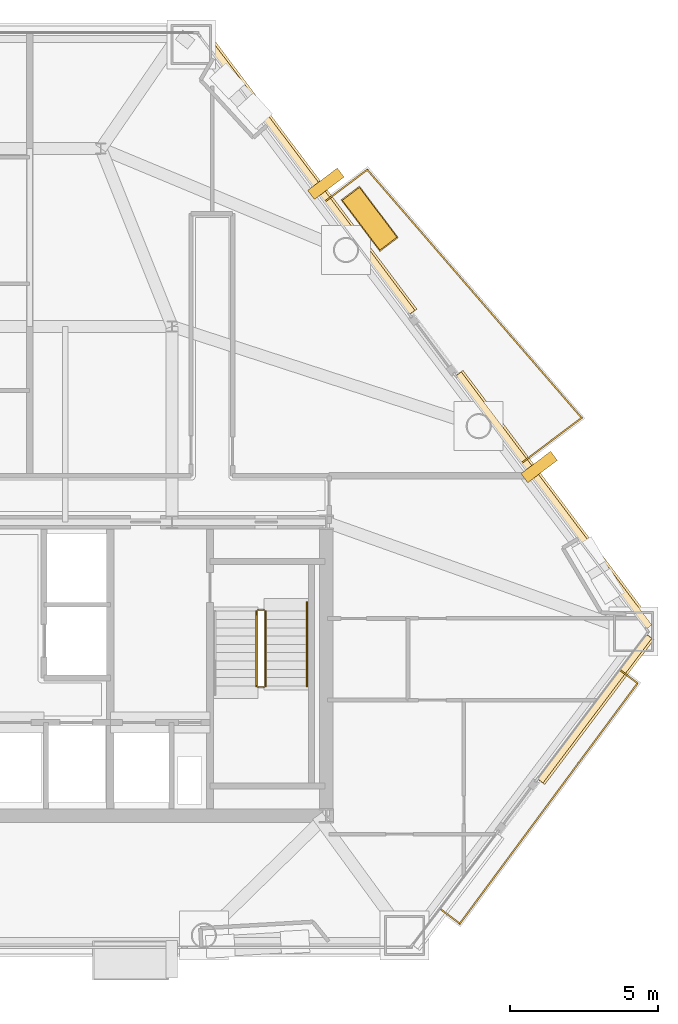
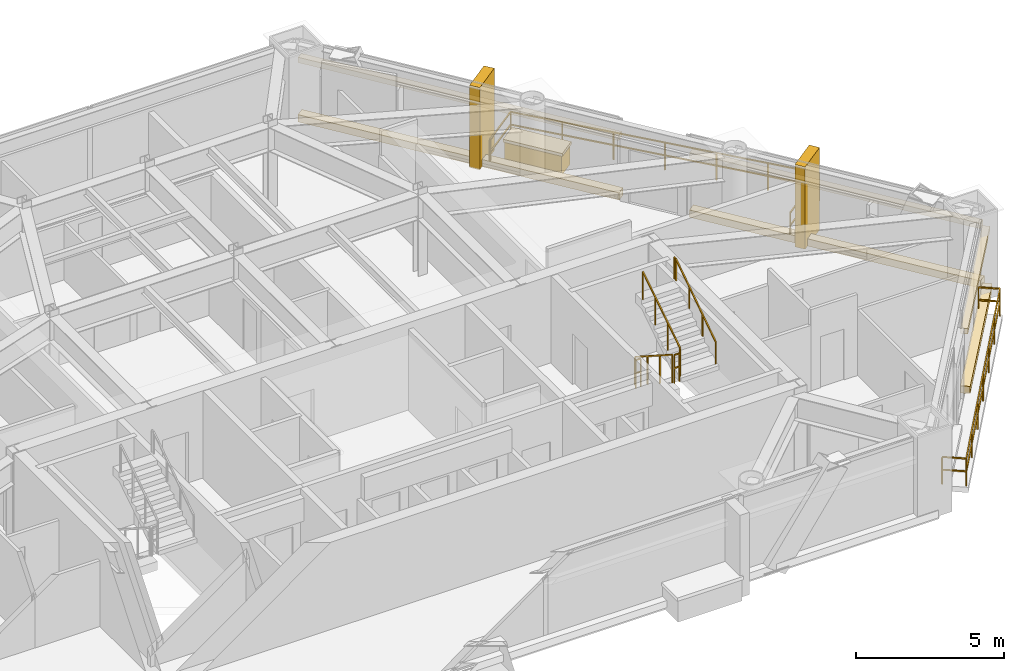
# One storey, part 10 of 10: 10 coverings, 7 railings.
"""IFC4 building model written with IfcOpenShell, lengths in metres."""

from ifc_helpers import new_model, si_unit, direction, frame, origin, origin_2d, place, context, subcontext, project, spatial, rectangle, extrude, material, layer, layer_set, type_object, element, save


model = new_model("IFC4")

# Units and contexts
model_context = context("Model", 3, precision=1e-05, world=origin(), true_north=direction((0.0, 1.0)))
body_context = subcontext(model_context, "Body", "Model", "MODEL_VIEW")
ifc_project = project(units=[si_unit("LENGTHUNIT", "METRE"), si_unit("AREAUNIT", "SQUARE_METRE"), si_unit("VOLUMEUNIT", "CUBIC_METRE"), si_unit("PLANEANGLEUNIT", "RADIAN"), si_unit("MASSUNIT", "GRAM", prefix="KILO")], contexts=[model_context])

# Site, building, storey
site_placement = place(None, origin())
site = spatial("IfcSite", under=ifc_project, at=site_placement, CompositionType="ELEMENT")
building_placement = place(site_placement, origin())
building = spatial("IfcBuilding", under=site, at=building_placement, Name="Talgorran Terracotta Tower", CompositionType="ELEMENT")
storey_placement = place(building_placement, frame((0.0, 0.0, 49.5)))
storey = spatial("IfcBuildingStorey", under=building, at=storey_placement, Name="L12", CompositionType="ELEMENT", Elevation=49.5)

# Coverings
ifc_material_1 = material(Name="Kiln-Fired Terracotta Ochre Ceramic", Category="masonry")
ifc_layer_1 = layer(ifc_material_1, 0.179931640625, Name="COV_BAGUETTE_TERRACOTTA_SCREEN")
ifc_layer_set_1 = layer_set([ifc_layer_1], Name="Kiln-Fired Terracotta Ochre Ceramic")
covering_type_1 = type_object("IfcCoveringType", Name="COV_BAGUETTE_TERRACOTTA_SCREEN", PredefinedType="CLADDING", material=ifc_layer_set_1)
covering_1_placement = place(storey_placement, frame((21.438720703125, -10.4765625, 2.41015625), z_axis=(0.0, 0.0, 1.0), x_axis=(0.601633803014, 0.798772036986, 0.0)))
element("IfcCovering", 1, at=covering_1_placement, inside=storey, type_object=covering_type_1, Name="L12 Terracotta Baguette Solar Screen Assembly F31", PredefinedType="CLADDING", context=body_context, shape_type="SweptSolid", body=[
    extrude(rectangle(XDim=6.099609375, YDim=0.260009765625, at=origin_2d()), origin(), (0.0, 0.0, 1.0), 0.219970703125),
])
covering_2_placement = place(storey_placement, frame((20.060791015625, -3.47900390625, 2.41015625), z_axis=(0.0, 0.0, 1.0), x_axis=(-0.601633803014, 0.798772036986, 0.0)))
element("IfcCovering", 2, at=covering_2_placement, inside=storey, type_object=covering_type_1, Name="L12 Terracotta Baguette Solar Screen Assembly F40", PredefinedType="CLADDING", context=body_context, shape_type="SweptSolid", body=[
    extrude(rectangle(XDim=10.6796875, YDim=0.260009765625, at=origin_2d()), origin(), (0.0, 0.0, 1.0), 0.219970703125),
])
covering_3_placement = place(storey_placement, frame((11.738525390625, 7.570556640625, 2.41015625), z_axis=(0.0, 0.0, 1.0), x_axis=(-0.601633803014, 0.798772036986, 0.0)))
element("IfcCovering", 3, at=covering_3_placement, inside=storey, type_object=covering_type_1, Name="L12 Terracotta Baguette Solar Screen Assembly F41", PredefinedType="CLADDING", context=body_context, shape_type="SweptSolid", body=[
    extrude(rectangle(XDim=11.78662109375, YDim=0.260009765625, at=origin_2d()), origin(), (0.0, 0.0, 1.0), 0.219970703125),
])
ifc_material_2 = material(Name="Honed Limestone and Terracotta Planter", Category="masonry")
ifc_layer_2 = layer(ifc_material_2, 0.1201171875, Name="COV_PLANTER_BOX")
ifc_layer_set_2 = layer_set([ifc_layer_2], Name="Honed Limestone and Terracotta Planter")
covering_type_2 = type_object("IfcCoveringType", Name="COV_PLANTER_BOX", PredefinedType="CLADDING", material=ifc_layer_set_2)
covering_4_placement = place(storey_placement, frame((13.863037109375, 6.029541015625, -0.02001953125), z_axis=(0.0, 0.0, 1.0), x_axis=(-0.601633803014, 0.798772036986, 0.0)))
element("IfcCovering", 4, at=covering_4_placement, inside=storey, type_object=covering_type_2, Name="L12 Staggered Balcony Planter Box BAL-NE", PredefinedType="CLADDING", context=body_context, shape_type="SweptSolid", body=[
    extrude(rectangle(XDim=2.10009765625, YDim=0.719970703125, at=origin_2d()), origin(), (0.0, 0.0, 1.0), 0.860107421875),
])
ifc_material_3 = material(Name="Kiln-Fired Terracotta Planter Rim", Category="masonry")
ifc_layer_3 = layer(ifc_material_3, 0.10009765625, Name="COV_PLANTER_RIM")
ifc_layer_set_3 = layer_set([ifc_layer_3], Name="Kiln-Fired Terracotta Planter Rim")
covering_type_3 = type_object("IfcCoveringType", Name="COV_PLANTER_RIM", PredefinedType="CLADDING", material=ifc_layer_set_3)
covering_5_placement = place(storey_placement, frame((13.863037109375, 6.029541015625, 0.800048828125), z_axis=(0.0, 0.0, 1.0), x_axis=(-0.601633803014, 0.798772036986, 0.0)))
element("IfcCovering", 5, at=covering_5_placement, inside=storey, type_object=covering_type_3, Name="L12 Balcony Planter Terracotta Rim BAL-NE", PredefinedType="CLADDING", context=body_context, shape_type="SweptSolid", body=[
    extrude(rectangle(XDim=2.179931640625, YDim=0.780029296875, at=origin_2d()), origin(), (0.0, 0.0, 1.0), 0.1201171875),
])
ifc_material_4 = material(Name="Honed Limestone Cladding", Category="masonry")
ifc_layer_4 = layer(ifc_material_4, 0.094970703125, Name="COV_PORTAL_LIME")
ifc_layer_set_4 = layer_set([ifc_layer_4], Name="Honed Limestone Cladding")
covering_type_4 = type_object("IfcCoveringType", Name="COV_PORTAL_LIME", PredefinedType="CLADDING", material=ifc_layer_set_4)
covering_6_placement = place(storey_placement, frame((21.470458984375, -10.500732421875, -0.0400390625), z_axis=(0.0, 0.0, 1.0), x_axis=(0.601633803014, 0.798772036986, 0.0)))
element("IfcCovering", 6, at=covering_6_placement, inside=storey, type_object=covering_type_4, Name="L12 Striped Postmodern Portal Cladding Band F31", PredefinedType="CLADDING", context=body_context, shape_type="SweptSolid", body=[
    extrude(rectangle(XDim=6.11962890625, YDim=0.340087890625, at=origin_2d()), origin(), (0.0, 0.0, 1.0), 0.300048828125),
])
covering_7_placement = place(storey_placement, frame((20.0927734375, -3.454833984375, -0.0400390625), z_axis=(0.0, 0.0, 1.0), x_axis=(-0.601633803014, 0.798772036986, 0.0)))
element("IfcCovering", 7, at=covering_7_placement, inside=storey, type_object=covering_type_4, Name="L12 Striped Postmodern Portal Cladding Band F40", PredefinedType="CLADDING", context=body_context, shape_type="SweptSolid", body=[
    extrude(rectangle(XDim=10.69970703125, YDim=0.340087890625, at=origin_2d()), origin(), (0.0, 0.0, 1.0), 0.300048828125),
])
covering_8_placement = place(storey_placement, frame((11.7705078125, 7.594482421875, -0.0400390625), z_axis=(0.0, 0.0, 1.0), x_axis=(-0.601633803014, 0.798772036986, 0.0)))
element("IfcCovering", 8, at=covering_8_placement, inside=storey, type_object=covering_type_4, Name="L12 Striped Postmodern Portal Cladding Band F41", PredefinedType="CLADDING", context=body_context, shape_type="SweptSolid", body=[
    extrude(rectangle(XDim=11.806396484375, YDim=0.340087890625, at=origin_2d()), origin(), (0.0, 0.0, 1.0), 0.300048828125),
])
covering_9_placement = place(storey_placement, frame((12.3857421875, 7.2099609375, -0.050048828125), z_axis=(0.0, 0.0, 1.0), x_axis=(-0.601633803014, 0.798772036986, 0.0)))
element("IfcCovering", 9, at=covering_9_placement, inside=storey, type_object=covering_type_4, Name="L12 White Striped Portal Fin F3-2", PredefinedType="CLADDING", context=body_context, shape_type="SweptSolid", body=[
    extrude(rectangle(XDim=0.3798828125, YDim=1.25, at=origin_2d()), origin(), (0.0, 0.0, 1.0), 3.39990234375),
])
ifc_material_5 = material(Name="Kiln-Fired Terracotta Cladding", Category="masonry")
ifc_layer_5 = layer(ifc_material_5, 0.090087890625, Name="COV_PORTAL_TERRA")
ifc_layer_set_5 = layer_set([ifc_layer_5], Name="Kiln-Fired Terracotta Cladding")
covering_type_5 = type_object("IfcCoveringType", Name="COV_PORTAL_TERRA", PredefinedType="CLADDING", material=ifc_layer_set_5)
covering_10_placement = place(storey_placement, frame((19.578369140625, -2.339599609375, -0.050048828125), z_axis=(0.0, 0.0, 1.0), x_axis=(-0.601633803014, 0.798772036986, 0.0)))
element("IfcCovering", 10, at=covering_10_placement, inside=storey, type_object=covering_type_5, Name="L12 Terracotta Striped Portal Fin F3-1", PredefinedType="CLADDING", context=body_context, shape_type="SweptSolid", body=[
    extrude(rectangle(XDim=0.3798828125, YDim=1.25, at=origin_2d()), origin(), (0.0, 0.0, 1.0), 3.39990234375),
])

# Railings
ifc_material_6 = material(Name="Laminated Glass and Stainless Steel 316", Category="steel")
railing_type_1 = type_object("IfcRailingType", Name="RL_BALCONY_1150", PredefinedType="BALUSTRADE", material=ifc_material_6)
railing_1_placement = place(storey_placement, frame((18.9970703125, -2.19970703125, 0.0)))
element("IfcRailing", 11, at=railing_1_placement, inside=storey, type_object=railing_type_1, Name="RL-L12-BAL-BAL-NE", PredefinedType="BALUSTRADE", context=body_context, shape_type="SweptSolid", body=[
    extrude(rectangle(XDim=0.048095703125, YDim=0.048095703125, at=origin_2d()), frame((0.0, 0.0, 1.1259765625), z_axis=(0.798731711395, 0.601687338418, 0.0), x_axis=(-0.601687338418, 0.798731711395, 0.0)), (0.0, 0.0, 1.0), 2.521484375),
    extrude(rectangle(XDim=0.048095703125, YDim=0.048095703125, at=origin_2d()), frame((0.0, 0.0, 0.597900390625), z_axis=(0.798731711395, 0.601687338418, 0.0), x_axis=(-0.601687338418, 0.798731711395, 0.0)), (0.0, 0.0, 1.0), 2.521484375),
    extrude(rectangle(XDim=0.048095703125, YDim=0.048095703125, at=origin_2d()), frame((2.013916015625, 1.51708984375, 1.1259765625), z_axis=(-0.653784845329, 0.756680497976, 0.0), x_axis=(-0.756680497976, -0.653784845329, 0.0)), (0.0, 0.0, 1.0), 11.056884765625),
    extrude(rectangle(XDim=0.048095703125, YDim=0.048095703125, at=origin_2d()), frame((2.013916015625, 1.51708984375, 0.597900390625), z_axis=(-0.653784845329, 0.756680497976, 0.0), x_axis=(-0.756680497976, -0.653784845329, 0.0)), (0.0, 0.0, 1.0), 11.056884765625),
    extrude(rectangle(XDim=0.048095703125, YDim=0.048095703125, at=origin_2d()), frame((-5.21484375, 9.883544921875, 1.1259765625), z_axis=(-0.798780849731, -0.601622102406, 0.0), x_axis=(0.601622102406, -0.798780849731, 0.0)), (0.0, 0.0, 1.0), 1.78076171875),
    extrude(rectangle(XDim=0.048095703125, YDim=0.048095703125, at=origin_2d()), frame((-5.21484375, 9.883544921875, 0.597900390625), z_axis=(-0.798780849731, -0.601622102406, 0.0), x_axis=(0.601622102406, -0.798780849731, 0.0)), (0.0, 0.0, 1.0), 1.78076171875),
    extrude(rectangle(XDim=0.0419921875, YDim=0.0419921875, at=origin_2d()), origin(), (0.0, 0.0, 1.0), 1.101806640625),
    extrude(rectangle(XDim=0.0419921875, YDim=0.0419921875, at=origin_2d()), frame((1.0068359375, 0.758544921875, 0.0)), (0.0, 0.0, 1.0), 1.101806640625),
    extrude(rectangle(XDim=0.0419921875, YDim=0.0419921875, at=origin_2d()), frame((2.013916015625, 1.51708984375, 0.0)), (0.0, 0.0, 1.0), 1.101806640625),
    extrude(rectangle(XDim=0.0419921875, YDim=0.0419921875, at=origin_2d()), frame((0.80908203125, 2.91162109375, 0.0)), (0.0, 0.0, 1.0), 1.101806640625),
    extrude(rectangle(XDim=0.0419921875, YDim=0.0419921875, at=origin_2d()), frame((-0.395751953125, 4.305908203125, 0.0)), (0.0, 0.0, 1.0), 1.101806640625),
    extrude(rectangle(XDim=0.0419921875, YDim=0.0419921875, at=origin_2d()), frame((-1.6005859375, 5.7001953125, 0.0)), (0.0, 0.0, 1.0), 1.101806640625),
    extrude(rectangle(XDim=0.0419921875, YDim=0.0419921875, at=origin_2d()), frame((-2.80517578125, 7.0947265625, 0.0)), (0.0, 0.0, 1.0), 1.101806640625),
    extrude(rectangle(XDim=0.0419921875, YDim=0.0419921875, at=origin_2d()), frame((-4.010009765625, 8.4892578125, 0.0)), (0.0, 0.0, 1.0), 1.101806640625),
    extrude(rectangle(XDim=0.0419921875, YDim=0.0419921875, at=origin_2d()), frame((-5.21484375, 9.883544921875, 0.0)), (0.0, 0.0, 1.0), 1.101806640625),
    extrude(rectangle(XDim=0.0419921875, YDim=0.0419921875, at=origin_2d()), frame((-6.63720703125, 8.812255859375, 0.0)), (0.0, 0.0, 1.0), 1.101806640625),
])
railing_2_placement = place(storey_placement, frame((16.244384765625, -17.239990234375, 0.0)))
element("IfcRailing", 12, at=railing_2_placement, inside=storey, type_object=railing_type_1, Name="RL-L12-BAL-BAL-SE", PredefinedType="BALUSTRADE", context=body_context, shape_type="SweptSolid", body=[
    extrude(rectangle(XDim=0.048095703125, YDim=0.048095703125, at=origin_2d()), frame((0.0, 0.0, 1.1259765625), z_axis=(0.798753467673, -0.601658456169, 0.0), x_axis=(0.601658456169, 0.798753467673, 0.0)), (0.0, 0.0, 1.0), 0.82373046875),
    extrude(rectangle(XDim=0.048095703125, YDim=0.048095703125, at=origin_2d()), frame((0.0, 0.0, 0.597900390625), z_axis=(0.798753467673, -0.601658456169, 0.0), x_axis=(0.601658456169, 0.798753467673, 0.0)), (0.0, 0.0, 1.0), 0.82373046875),
    extrude(rectangle(XDim=0.048095703125, YDim=0.048095703125, at=origin_2d()), frame((0.657958984375, -0.49560546875, 1.1259765625), z_axis=(0.594608255288, 0.804015561257, 0.0), x_axis=(-0.804015561257, 0.594608255288, 0.0)), (0.0, 0.0, 1.0), 10.081298828125),
    extrude(rectangle(XDim=0.048095703125, YDim=0.048095703125, at=origin_2d()), frame((0.657958984375, -0.49560546875, 0.597900390625), z_axis=(0.594608255288, 0.804015561257, 0.0), x_axis=(-0.804015561257, 0.594608255288, 0.0)), (0.0, 0.0, 1.0), 10.081298828125),
    extrude(rectangle(XDim=0.048095703125, YDim=0.048095703125, at=origin_2d()), frame((6.65234375, 7.60986328125, 1.1259765625), z_axis=(-0.798923305142, 0.601432916044, 0.0), x_axis=(-0.601432916044, -0.798923305142, 0.0)), (0.0, 0.0, 1.0), 0.735595703125),
    extrude(rectangle(XDim=0.048095703125, YDim=0.048095703125, at=origin_2d()), frame((6.65234375, 7.60986328125, 0.597900390625), z_axis=(-0.798923305142, 0.601432916044, 0.0), x_axis=(-0.601432916044, -0.798923305142, 0.0)), (0.0, 0.0, 1.0), 0.735595703125),
    extrude(rectangle(XDim=0.0419921875, YDim=0.0419921875, at=origin_2d()), origin(), (0.0, 0.0, 1.0), 1.101806640625),
    extrude(rectangle(XDim=0.0419921875, YDim=0.0419921875, at=origin_2d()), frame((0.657958984375, -0.49560546875, 0.0)), (0.0, 0.0, 1.0), 1.101806640625),
    extrude(rectangle(XDim=0.0419921875, YDim=0.0419921875, at=origin_2d()), frame((1.656982421875, 0.855224609375, 0.0)), (0.0, 0.0, 1.0), 1.101806640625),
    extrude(rectangle(XDim=0.0419921875, YDim=0.0419921875, at=origin_2d()), frame((2.656005859375, 2.206298828125, 0.0)), (0.0, 0.0, 1.0), 1.101806640625),
    extrude(rectangle(XDim=0.0419921875, YDim=0.0419921875, at=origin_2d()), frame((3.6552734375, 3.55712890625, 0.0)), (0.0, 0.0, 1.0), 1.101806640625),
    extrude(rectangle(XDim=0.0419921875, YDim=0.0419921875, at=origin_2d()), frame((4.654296875, 4.907958984375, 0.0)), (0.0, 0.0, 1.0), 1.101806640625),
    extrude(rectangle(XDim=0.0419921875, YDim=0.0419921875, at=origin_2d()), frame((5.6533203125, 6.259033203125, 0.0)), (0.0, 0.0, 1.0), 1.101806640625),
    extrude(rectangle(XDim=0.0419921875, YDim=0.0419921875, at=origin_2d()), frame((6.65234375, 7.60986328125, 0.0)), (0.0, 0.0, 1.0), 1.101806640625),
    extrude(rectangle(XDim=0.0419921875, YDim=0.0419921875, at=origin_2d()), frame((6.064697265625, 8.05224609375, 0.0)), (0.0, 0.0, 1.0), 1.101806640625),
])
ifc_material_7 = material(Name="Steel S355 (300PLUS)", Category="steel")
railing_type_2 = type_object("IfcRailingType", Name="RL_HANDRAIL_920", PredefinedType="HANDRAIL", material=ifc_material_7)
railing_3_placement = place(storey_placement, frame((11.75, -9.719970703125, 1.97998046875)))
element("IfcRailing", 13, at=railing_3_placement, inside=storey, type_object=railing_type_2, Name="L12 ST-02 stair handrail 2", PredefinedType="HANDRAIL", context=body_context, shape_type="SweptSolid", body=[
    extrude(rectangle(XDim=0.048095703125, YDim=0.048095703125, at=origin_2d()), frame((0.0, 0.0, 0.89599609375), z_axis=(0.0, 0.832038719335, 0.554717558338), x_axis=(-1.0, 0.0, 0.0)), (0.0, 0.0, 1.0), 3.244873046875),
    extrude(rectangle(XDim=0.048095703125, YDim=0.048095703125, at=origin_2d()), frame((0.0, 2.699951171875, 2.69580078125), z_axis=(0.0, 1.0, 0.0), x_axis=(-1.0, 0.0, 0.0)), (0.0, 0.0, 1.0), 0.1201171875),
    extrude(rectangle(XDim=0.0419921875, YDim=0.0419921875, at=origin_2d()), origin(), (0.0, 0.0, 1.0), 0.871826171875),
    extrude(rectangle(XDim=0.0419921875, YDim=0.0419921875, at=origin_2d()), frame((0.0, 0.89990234375, 0.60009765625)), (0.0, 0.0, 1.0), 0.871826171875),
    extrude(rectangle(XDim=0.0419921875, YDim=0.0419921875, at=origin_2d()), frame((0.0, 1.800048828125, 1.199951171875)), (0.0, 0.0, 1.0), 0.871826171875),
    extrude(rectangle(XDim=0.0419921875, YDim=0.0419921875, at=origin_2d()), frame((0.0, 2.699951171875, 1.800048828125)), (0.0, 0.0, 1.0), 0.871826171875),
    extrude(rectangle(XDim=0.0419921875, YDim=0.0419921875, at=origin_2d()), frame((0.0, 2.820068359375, 1.800048828125)), (0.0, 0.0, 1.0), 0.871826171875),
])
railing_type_3 = type_object("IfcRailingType", Name="RL_STAIR_GUARD", PredefinedType="GUARDRAIL", material=ifc_material_7)
railing_4_placement = place(storey_placement, frame((10.050048828125, -7.199951171875, 0.179931640625)))
element("IfcRailing", 14, at=railing_4_placement, inside=storey, type_object=railing_type_3, Name="L12 ST-02 stair guard 1", PredefinedType="GUARDRAIL", context=body_context, shape_type="SweptSolid", body=[
    extrude(rectangle(XDim=0.048095703125, YDim=0.048095703125, at=origin_2d()), frame((0.0, 0.0, 1.15576171875), z_axis=(0.0, -0.841162588446, 0.540782303519), x_axis=(1.0, 0.0, 0.0)), (0.0, 0.0, 1.0), 2.995849609375),
    extrude(rectangle(XDim=0.0419921875, YDim=0.0419921875, at=origin_2d()), origin(), (0.0, 0.0, 1.0), 1.1318359375),
    extrude(rectangle(XDim=0.0419921875, YDim=0.0419921875, at=origin_2d()), frame((0.0, -0.840087890625, 0.5400390625)), (0.0, 0.0, 1.0), 1.1318359375),
    extrude(rectangle(XDim=0.0419921875, YDim=0.0419921875, at=origin_2d()), frame((0.0, -1.679931640625, 1.080078125)), (0.0, 0.0, 1.0), 1.1318359375),
    extrude(rectangle(XDim=0.0419921875, YDim=0.0419921875, at=origin_2d()), frame((0.0, -2.52001953125, 1.6201171875)), (0.0, 0.0, 1.0), 1.1318359375),
])
railing_5_placement = place(storey_placement, frame((10.10009765625, -9.77001953125, 1.800048828125)))
element("IfcRailing", 15, at=railing_5_placement, inside=storey, type_object=railing_type_3, Name="L12 ST-02 stair guard 2", PredefinedType="GUARDRAIL", context=body_context, shape_type="SweptSolid", body=[
    extrude(rectangle(XDim=0.048095703125, YDim=0.048095703125, at=origin_2d()), frame((0.0, 0.0, 1.15576171875), z_axis=(1.0, 0.0, 0.0), x_axis=(0.0, 1.0, 0.0)), (0.0, 0.0, 1.0), 0.199951171875),
    extrude(rectangle(XDim=0.048095703125, YDim=0.048095703125, at=origin_2d()), frame((0.0, 0.0, 0.613525390625), z_axis=(1.0, 0.0, 0.0), x_axis=(0.0, 1.0, 0.0)), (0.0, 0.0, 1.0), 0.199951171875),
    extrude(rectangle(XDim=0.0419921875, YDim=0.0419921875, at=origin_2d()), origin(), (0.0, 0.0, 1.0), 1.1318359375),
    extrude(rectangle(XDim=0.0419921875, YDim=0.0419921875, at=origin_2d()), frame((0.199951171875, 0.0, 0.0)), (0.0, 0.0, 1.0), 1.1318359375),
])
railing_6_placement = place(storey_placement, frame((10.35009765625, -9.719970703125, 1.97998046875)))
element("IfcRailing", 16, at=railing_6_placement, inside=storey, type_object=railing_type_3, Name="L12 ST-02 stair guard 3", PredefinedType="GUARDRAIL", context=body_context, shape_type="SweptSolid", body=[
    extrude(rectangle(XDim=0.048095703125, YDim=0.048095703125, at=origin_2d()), frame((0.0, 0.0, 1.15576171875), z_axis=(0.0, 0.841162588446, 0.540782303519), x_axis=(-1.0, 0.0, 0.0)), (0.0, 0.0, 1.0), 2.995849609375),
    extrude(rectangle(XDim=0.0419921875, YDim=0.0419921875, at=origin_2d()), origin(), (0.0, 0.0, 1.0), 1.1318359375),
    extrude(rectangle(XDim=0.0419921875, YDim=0.0419921875, at=origin_2d()), frame((0.0, 0.840087890625, 0.5400390625)), (0.0, 0.0, 1.0), 1.1318359375),
    extrude(rectangle(XDim=0.0419921875, YDim=0.0419921875, at=origin_2d()), frame((0.0, 1.679931640625, 1.080078125)), (0.0, 0.0, 1.0), 1.1318359375),
    extrude(rectangle(XDim=0.0419921875, YDim=0.0419921875, at=origin_2d()), frame((0.0, 2.52001953125, 1.6201171875)), (0.0, 0.0, 1.0), 1.1318359375),
])
railing_7_placement = place(storey_placement, frame((10.10009765625, -7.14990234375, 0.0)))
element("IfcRailing", 17, at=railing_7_placement, inside=storey, type_object=railing_type_3, Name="L12 ST-02 stair guard 4", PredefinedType="GUARDRAIL", context=body_context, shape_type="SweptSolid", body=[
    extrude(rectangle(XDim=0.048095703125, YDim=0.048095703125, at=origin_2d()), frame((0.0, 0.0, 1.15576171875), z_axis=(1.0, 0.0, 0.0), x_axis=(0.0, 1.0, 0.0)), (0.0, 0.0, 1.0), 0.199951171875),
    extrude(rectangle(XDim=0.048095703125, YDim=0.048095703125, at=origin_2d()), frame((0.0, 0.0, 0.613525390625), z_axis=(1.0, 0.0, 0.0), x_axis=(0.0, 1.0, 0.0)), (0.0, 0.0, 1.0), 0.199951171875),
    extrude(rectangle(XDim=0.0419921875, YDim=0.0419921875, at=origin_2d()), origin(), (0.0, 0.0, 1.0), 1.1318359375),
    extrude(rectangle(XDim=0.0419921875, YDim=0.0419921875, at=origin_2d()), frame((0.199951171875, 0.0, 0.0)), (0.0, 0.0, 1.0), 1.1318359375),
])

save(model, "model.ifc")
